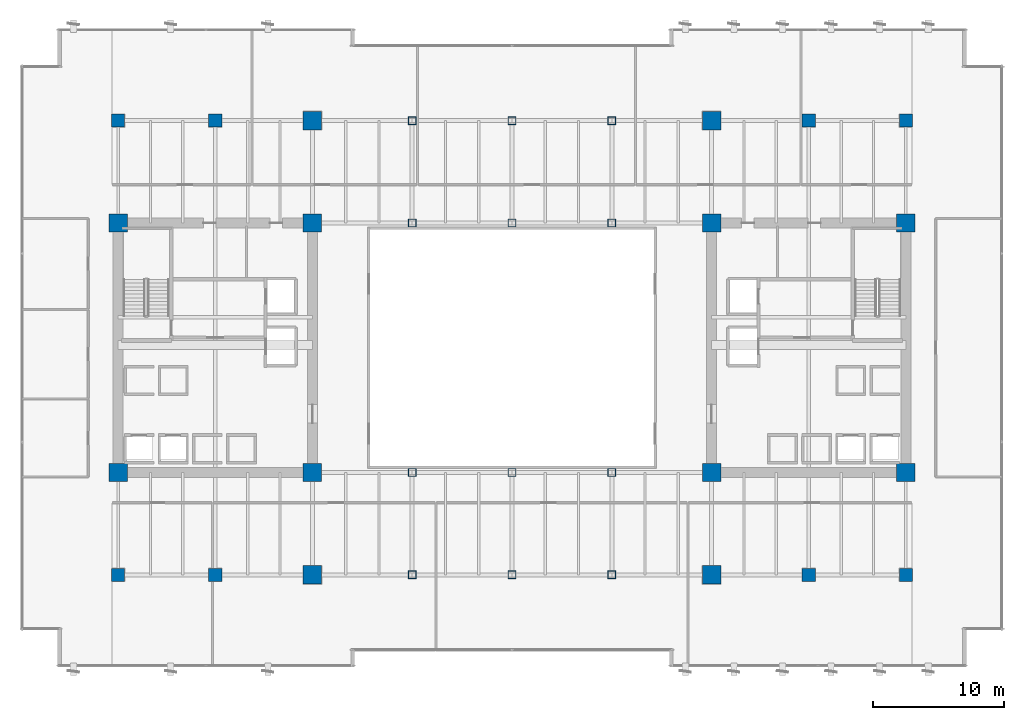
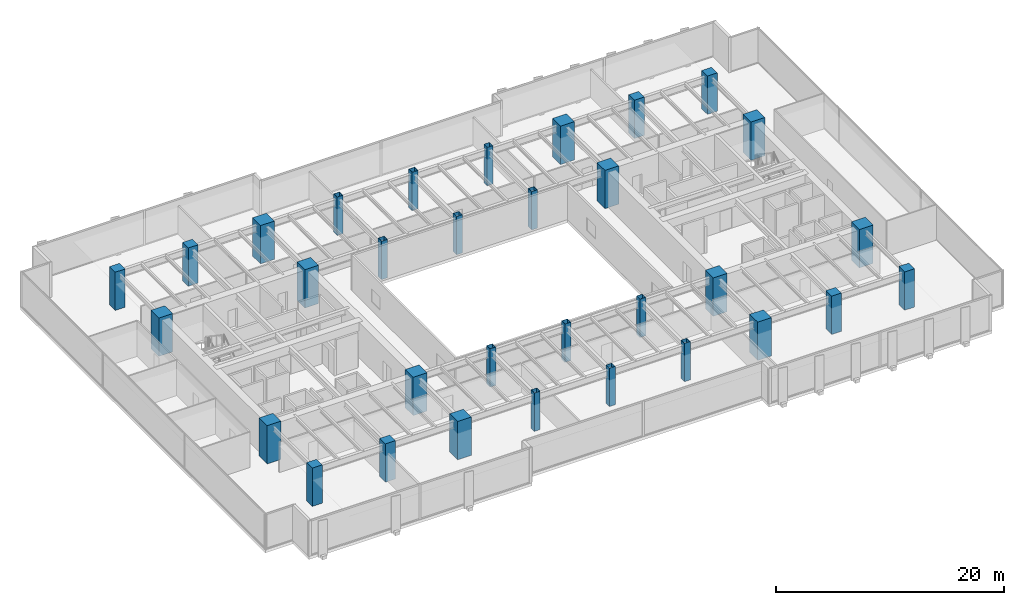
# One storey, part 1 of 37: 32 columns.
"""IFC4 building model written with IfcOpenShell, lengths in metres."""

from ifc_helpers import new_model, si_unit, direction, frame, origin, origin_2d, place, context, subcontext, project, spatial, rectangle, hollow_rectangle, extrude, source, transform, mapped, material, material_profile, profile_set, type_object, type_shapes, element, save


model = new_model("IFC4")

# Units and contexts
model_context = context("Model", 3, precision=1e-05, world=origin(), true_north=direction((0.0, 1.0)))
body_context = subcontext(model_context, "Body", "Model", "MODEL_VIEW")
ifc_project = project(units=[si_unit("LENGTHUNIT", "METRE"), si_unit("AREAUNIT", "SQUARE_METRE"), si_unit("VOLUMEUNIT", "CUBIC_METRE"), si_unit("PLANEANGLEUNIT", "RADIAN"), si_unit("MASSUNIT", "GRAM", prefix="KILO")], contexts=[model_context])

# Site, building, storey
site_placement = place(None, origin())
site = spatial("IfcSite", under=ifc_project, at=site_placement, CompositionType="ELEMENT")
building_placement = place(site_placement, origin())
building = spatial("IfcBuilding", under=site, at=building_placement, Name="Haelvirn Gate Laboratories", CompositionType="ELEMENT")
storey_placement = place(building_placement, frame((0.0, 0.0, 74.39990234375)))
storey = spatial("IfcBuildingStorey", under=building, at=storey_placement, Name="L18", CompositionType="ELEMENT", Elevation=74.39990234375)

# Columns
ifc_material_1 = material(Name="Concrete C60/75", Category="concrete")
ifc_material_profile_1 = material_profile(ifc_material_1, rectangle(XDim=1.0, YDim=1.0, at=origin_2d()), Name="RC-1000x1000")
ifc_profile_set_1 = profile_set([ifc_material_profile_1], Name="Concrete C60/75")
column_type_1 = type_object("IfcColumnType", Name="COL-RC-1000", PredefinedType="COLUMN", material=ifc_profile_set_1)
shared_shape_1 = source(origin(), body_context, "Body", "SweptSolid", [
    extrude(rectangle(XDim=1.0, YDim=1.0, at=origin_2d()), origin(), (0.0, 0.0, 1.0), 4.10009765625),
])
type_shapes(column_type_1, [shared_shape_1])
for number, where, z_axis, x_axis, name in (
    (1, (14.800048828125, 7.0, 0.0), (0.0, 0.0, 1.0), (1.0, 0.0, 0.0), "L18 Column 3B"),
    (2, (14.800048828125, 41.60009765625, 0.0), (0.0, 0.0, 1.0), (1.0, 0.0, 0.0), "L18 Column 3G"),
    (3, (60.0, 7.0, 0.0), (0.0, 0.0, 1.0), (1.0, 0.0, 0.0), "L18 Column 9B"),
    (4, (60.0, 41.60009765625, 0.0), (0.0, 0.0, 1.0), (1.0, 0.0, 0.0), "L18 Column 9G"),
    (5, (7.39990234375, 7.0, 0.0), (0.0, 0.0, 1.0), (1.0, 0.0, 0.0), "L18 Column 2B"),
    (6, (7.39990234375, 41.60009765625, 0.0), (0.0, 0.0, 1.0), (1.0, 0.0, 0.0), "L18 Column 2G"),
    (7, (67.39990234375, 7.0, 0.0), (0.0, 0.0, 1.0), (1.0, 0.0, 0.0), "L18 Column 10B"),
    (8, (67.39990234375, 41.60009765625, 0.0), (0.0, 0.0, 1.0), (1.0, 0.0, 0.0), "L18 Column 10G"),
):
    element("IfcColumn", number, at=place(storey_placement, frame(where, z_axis=z_axis, x_axis=x_axis)), inside=storey, type_object=column_type_1, Name=name, PredefinedType="COLUMN", context=body_context, shape_type="MappedRepresentation", body=[
        mapped(shared_shape_1, transform((0.0, 0.0, 0.0), scale=1.0)),
    ])
ifc_material_2 = material(Name="Concrete C70/85", Category="concrete")
ifc_material_profile_2 = material_profile(ifc_material_2, rectangle(XDim=1.39990234375, YDim=1.39990234375, at=origin_2d()), Name="SRC-1400x1400")
ifc_profile_set_2 = profile_set([ifc_material_profile_2], Name="Concrete C70/85")
column_type_2 = type_object("IfcColumnType", Name="COL-SRC-1400", PredefinedType="COLUMN", material=ifc_profile_set_2)
shared_shape_2 = source(origin(), body_context, "Body", "SweptSolid", [
    extrude(rectangle(XDim=1.39990234375, YDim=1.39990234375, at=origin_2d()), origin(), (0.0, 0.0, 1.0), 4.10009765625),
])
type_shapes(column_type_2, [shared_shape_2])
for number, where, z_axis, x_axis, name in (
    (9, (22.199951171875, 7.0, 0.0), (0.0, 0.0, 1.0), (1.0, 0.0, 0.0), "L18 Column 4B"),
    (10, (7.39990234375, 14.800048828125, 0.0), (0.0, 0.0, 1.0), (1.0, 0.0, 0.0), "L18 Column 2C"),
    (11, (22.199951171875, 14.800048828125, 0.0), (0.0, 0.0, 1.0), (1.0, 0.0, 0.0), "L18 Column 4C"),
    (12, (7.39990234375, 33.800048828125, 0.0), (0.0, 0.0, 1.0), (1.0, 0.0, 0.0), "L18 Column 2F"),
    (13, (22.199951171875, 33.800048828125, 0.0), (0.0, 0.0, 1.0), (1.0, 0.0, 0.0), "L18 Column 4F"),
    (14, (22.199951171875, 41.60009765625, 0.0), (0.0, 0.0, 1.0), (1.0, 0.0, 0.0), "L18 Column 4G"),
    (15, (52.60009765625, 7.0, 0.0), (0.0, 0.0, 1.0), (1.0, 0.0, 0.0), "L18 Column 8B"),
    (16, (52.60009765625, 14.800048828125, 0.0), (0.0, 0.0, 1.0), (1.0, 0.0, 0.0), "L18 Column 8C"),
    (17, (67.39990234375, 14.800048828125, 0.0), (0.0, 0.0, 1.0), (1.0, 0.0, 0.0), "L18 Column 10C"),
    (18, (52.60009765625, 33.800048828125, 0.0), (0.0, 0.0, 1.0), (1.0, 0.0, 0.0), "L18 Column 8F"),
    (19, (67.39990234375, 33.800048828125, 0.0), (0.0, 0.0, 1.0), (1.0, 0.0, 0.0), "L18 Column 10F"),
    (20, (52.60009765625, 41.60009765625, 0.0), (0.0, 0.0, 1.0), (1.0, 0.0, 0.0), "L18 Column 8G"),
):
    element("IfcColumn", number, at=place(storey_placement, frame(where, z_axis=z_axis, x_axis=x_axis)), inside=storey, type_object=column_type_2, Name=name, PredefinedType="COLUMN", context=body_context, shape_type="MappedRepresentation", body=[
        mapped(shared_shape_2, transform((0.0, 0.0, 0.0), scale=1.0)),
    ])
ifc_material_3 = material(Name="Steel SM420", Category="steel")
ifc_material_profile_3 = material_profile(ifc_material_3, hollow_rectangle(XDim=0.60009765625, YDim=0.60009765625, WallThickness=0.028076171875, at=origin_2d()), Name="BOX-600x600x28")
ifc_profile_set_3 = profile_set([ifc_material_profile_3], Name="Steel SM420")
column_type_3 = type_object("IfcColumnType", Name="COL-BOX-600", PredefinedType="COLUMN", material=ifc_profile_set_3)
shared_shape_3 = source(origin(), body_context, "Body", "SweptSolid", [
    extrude(hollow_rectangle(XDim=0.60009765625, YDim=0.60009765625, WallThickness=0.028076171875, at=origin_2d()), origin(), (0.0, 0.0, 1.0), 4.10009765625),
])
type_shapes(column_type_3, [shared_shape_3])
for number, where, z_axis, x_axis, name in (
    (21, (29.800048828125, 7.0, 0.0), (0.0, 0.0, 1.0), (1.0, 0.0, 0.0), "L18 Column 5B"),
    (22, (29.800048828125, 14.800048828125, 0.0), (0.0, 0.0, 1.0), (1.0, 0.0, 0.0), "L18 Column 5C"),
    (23, (29.800048828125, 33.800048828125, 0.0), (0.0, 0.0, 1.0), (1.0, 0.0, 0.0), "L18 Column 5F"),
    (24, (29.800048828125, 41.60009765625, 0.0), (0.0, 0.0, 1.0), (1.0, 0.0, 0.0), "L18 Column 5G"),
    (25, (37.39990234375, 7.0, 0.0), (0.0, 0.0, 1.0), (1.0, 0.0, 0.0), "L18 Column 6B"),
    (26, (37.39990234375, 14.800048828125, 0.0), (0.0, 0.0, 1.0), (1.0, 0.0, 0.0), "L18 Column 6C"),
    (27, (37.39990234375, 33.800048828125, 0.0), (0.0, 0.0, 1.0), (1.0, 0.0, 0.0), "L18 Column 6F"),
    (28, (37.39990234375, 41.60009765625, 0.0), (0.0, 0.0, 1.0), (1.0, 0.0, 0.0), "L18 Column 6G"),
    (29, (45.0, 7.0, 0.0), (0.0, 0.0, 1.0), (1.0, 0.0, 0.0), "L18 Column 7B"),
    (30, (45.0, 14.800048828125, 0.0), (0.0, 0.0, 1.0), (1.0, 0.0, 0.0), "L18 Column 7C"),
    (31, (45.0, 33.800048828125, 0.0), (0.0, 0.0, 1.0), (1.0, 0.0, 0.0), "L18 Column 7F"),
    (32, (45.0, 41.60009765625, 0.0), (0.0, 0.0, 1.0), (1.0, 0.0, 0.0), "L18 Column 7G"),
):
    element("IfcColumn", number, at=place(storey_placement, frame(where, z_axis=z_axis, x_axis=x_axis)), inside=storey, type_object=column_type_3, Name=name, PredefinedType="COLUMN", context=body_context, shape_type="MappedRepresentation", body=[
        mapped(shared_shape_3, transform((0.0, 0.0, 0.0), scale=1.0)),
    ])

save(model, "model.ifc")
